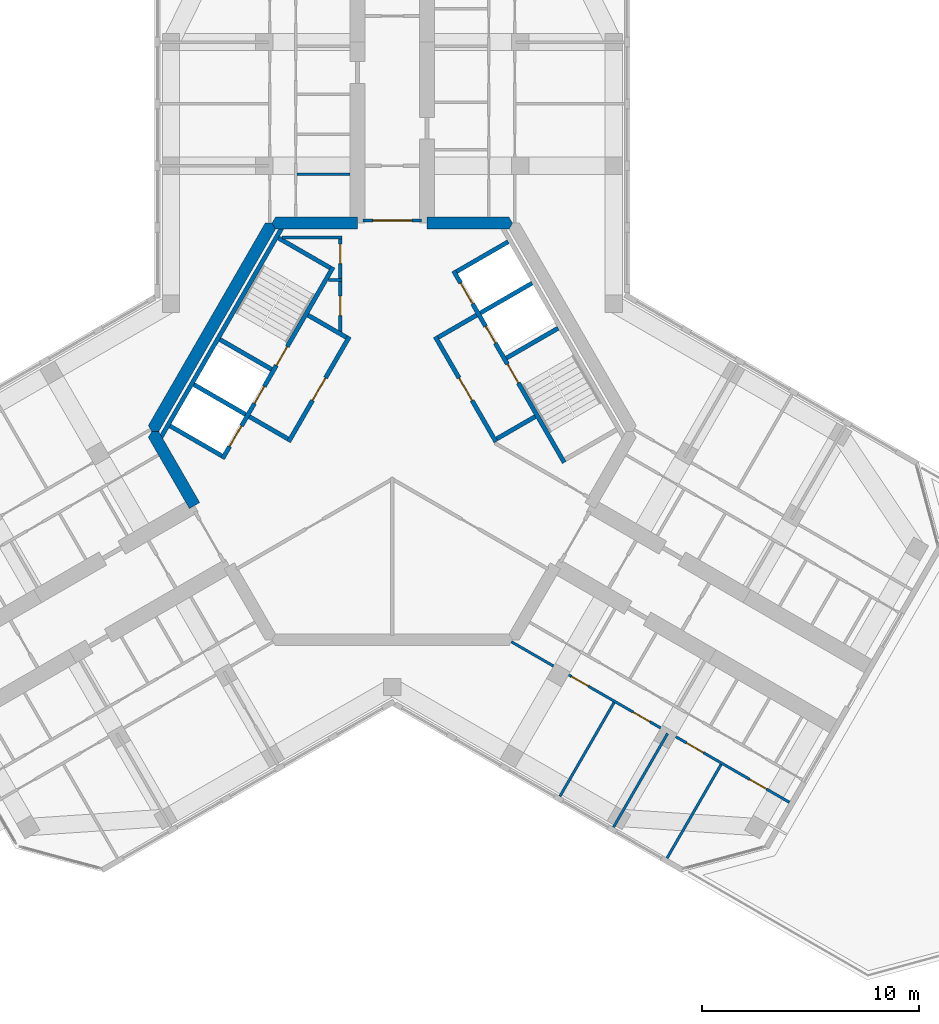
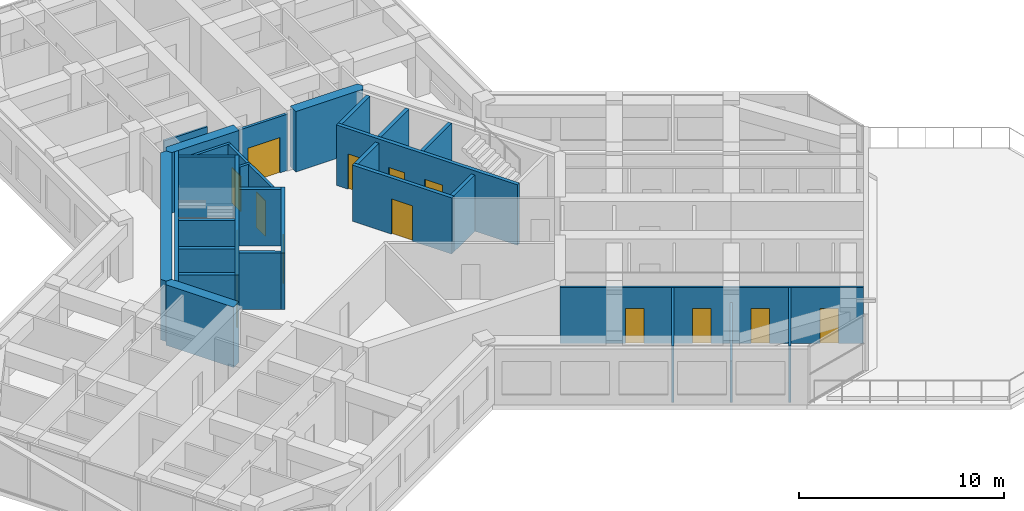
# One storey, part 9 of 14: 29 walls, 15 doors, 15 openings.
"""IFC4 building model written with IfcOpenShell, lengths in metres."""

from ifc_helpers import new_model, si_unit, direction, frame, frame_2d, origin, place, context, subcontext, project, spatial, polyline, rectangle, outline, extrude, material, layer, layer_set, type_object, element, fill, save


model = new_model("IFC4")

# Units and contexts
model_context = context("Model", 3, precision=1e-05, world=origin(), true_north=direction((0.0, 1.0)))
body_context = subcontext(model_context, "Body", "Model", "MODEL_VIEW")
ifc_project = project(units=[si_unit("LENGTHUNIT", "METRE"), si_unit("AREAUNIT", "SQUARE_METRE"), si_unit("VOLUMEUNIT", "CUBIC_METRE"), si_unit("PLANEANGLEUNIT", "RADIAN"), si_unit("MASSUNIT", "GRAM", prefix="KILO")], contexts=[model_context])

# Site, building, storey
site_placement = place(None, origin())
site = spatial("IfcSite", under=ifc_project, at=site_placement, CompositionType="ELEMENT")
building_placement = place(site_placement, origin())
building = spatial("IfcBuilding", under=site, at=building_placement, Name="Kosmar Iwan School Tower", CompositionType="ELEMENT")
storey_placement = place(building_placement, frame((0.0, 0.0, 267.39990234375)))
storey = spatial("IfcBuildingStorey", under=building, at=storey_placement, Name="L67", CompositionType="ELEMENT", Elevation=267.39990234375)

# Wall, openings, doors
ifc_material_1 = material(Name="Gypsum board on steel studs, fire-rated", Category="steel")
ifc_layer_1 = layer(ifc_material_1, 0.14990234375)
ifc_layer_set_1 = layer_set([ifc_layer_1], Name="Core room partition 150")
wall_type_1 = type_object("IfcWallType", Name="Core room partition 150", PredefinedType="PARTITIONING", material=ifc_layer_set_1)
wall_1_placement = place(storey_placement, frame((-2.39990234375, 9.014892578125, 0.0), z_axis=(0.0, 0.0, 1.0), x_axis=(0.0, -1.0, 0.0)))
wall_1 = element("IfcWall", 1, at=wall_1_placement, inside=storey, type_object=wall_type_1, Name="Core room partition L67-CW1", PredefinedType="PARTITIONING", context=body_context, shape_type="SweptSolid", body=[
    extrude(rectangle(XDim=4.484130859375, YDim=0.14990234375, at=frame_2d((2.2421875, 0.0))), origin(), (0.0, 0.0, 1.0), 3.35009765625),
])
opening_1_placement = place(wall_1_placement, frame((0.375, 0.0, 0.0)))
opening_1 = element("IfcOpeningElement", 2, at=opening_1_placement, cuts=wall_1, Name="Opening D14", PredefinedType="OPENING", context=body_context, shape_type="SweptSolid", body=[
    extrude(rectangle(XDim=0.89990234375, YDim=2.10009765625, at=frame_2d((0.449951171875, 1.050048828125))), frame((0.0, 0.0869140625, 0.0), z_axis=(0.0, -1.0, 0.0), x_axis=(1.0, 0.0, 0.0)), (0.0, 0.0, 1.0), 0.173828125),
])
opening_2_placement = place(wall_1_placement, frame((2.77490234375, 0.0, 0.0)))
opening_2 = element("IfcOpeningElement", 3, at=opening_2_placement, cuts=wall_1, Name="Opening D14", PredefinedType="OPENING", context=body_context, shape_type="SweptSolid", body=[
    extrude(rectangle(XDim=0.89990234375, YDim=2.10009765625, at=frame_2d((0.449951171875, 1.050048828125))), frame((0.0, 0.0869140625, 0.0), z_axis=(0.0, -1.0, 0.0), x_axis=(1.0, 0.0, 0.0)), (0.0, 0.0, 1.0), 0.173828125),
])
ifc_material_2 = material(Name="Timber fire door in steel frame", Category="steel")
door_type_1 = type_object("IfcDoorType", Name="Core room door 900x2100", OperationType="SINGLE_SWING_LEFT", PredefinedType="DOOR", material=ifc_material_2)
door_1_placement = place(opening_1_placement, origin())
door_1 = element("IfcDoor", 4, at=door_1_placement, inside=storey, type_object=door_type_1, Name="Electrical riser and switch room door L67 1", OperationType="SINGLE_SWING_LEFT", OverallHeight=2.10009765625, OverallWidth=0.89990234375, PredefinedType="DOOR", context=body_context, shape_type="SweptSolid", body=[
    extrude(rectangle(XDim=0.89990234375, YDim=2.10009765625, at=frame_2d((0.449951171875, 1.050048828125))), frame((0.0, 0.02490234375, 0.0), z_axis=(0.0, -1.0, 0.0), x_axis=(1.0, 0.0, 0.0)), (0.0, 0.0, 1.0), 0.050048828125),
])
fill(opening_1, door_1)
door_2_placement = place(opening_2_placement, origin())
door_2 = element("IfcDoor", 5, at=door_2_placement, inside=storey, type_object=door_type_1, Name="Plumbing and wet riser door L67 2", OperationType="SINGLE_SWING_RIGHT", OverallHeight=2.10009765625, OverallWidth=0.89990234375, PredefinedType="DOOR", context=body_context, shape_type="SweptSolid", body=[
    extrude(rectangle(XDim=0.89990234375, YDim=2.10009765625, at=frame_2d((0.449951171875, 1.050048828125))), frame((0.0, 0.02490234375, 0.0), z_axis=(0.0, -1.0, 0.0), x_axis=(1.0, 0.0, 0.0)), (0.0, 0.0, 1.0), 0.050048828125),
])
fill(opening_2, door_2)

# Walls
wall_2_placement = place(storey_placement, frame((-2.324951171875, 6.985107421875, 0.0), z_axis=(0.0, 0.0, 1.0), x_axis=(-1.0, 0.0, 0.0)))
element("IfcWall", 6, at=wall_2_placement, inside=storey, type_object=wall_type_1, Name="Core room partition L67-CW2", PredefinedType="PARTITIONING", context=body_context, shape_type="SweptSolid", body=[
    extrude(rectangle(XDim=0.623779296875, YDim=0.14990234375, at=frame_2d((0.31201171875, 0.0))), origin(), (0.0, 0.0, 1.0), 3.35009765625),
])
wall_3_placement = place(storey_placement, frame((-5.089599609375, 8.93994140625, 0.0), z_axis=(0.0, 0.0, 1.0), x_axis=(1.0, 0.0, 0.0)))
element("IfcWall", 7, at=wall_3_placement, inside=storey, type_object=wall_type_1, Name="Core room partition L67-CW3", PredefinedType="PARTITIONING", context=body_context, shape_type="SweptSolid", body=[
    extrude(rectangle(XDim=2.7646484375, YDim=0.14990234375, at=frame_2d((1.38232421875, 0.0))), origin(), (0.0, 0.0, 1.0), 3.35009765625),
])
ifc_material_3 = material(Name="Concrete C50/60", Category="concrete")
ifc_layer_2 = layer(ifc_material_3, 0.550048828125)
ifc_layer_set_2 = layer_set([ifc_layer_2], Name="Core wall 550")
wall_type_2 = type_object("IfcWallType", Name="Core wall 550", PredefinedType="SHEAR", material=ifc_layer_set_2)
wall_4_placement = place(storey_placement, origin())
element("IfcWall", 8, at=wall_4_placement, inside=storey, type_object=wall_type_2, Name="Core wall F090a", PredefinedType="SHEAR", context=body_context, shape_type="SweptSolid", body=[
    extrude(outline(polyline([(1.60009765625, 9.324951171875), (5.3837890625, 9.324951171875), (5.54248046875, 9.60009765625), (5.3837890625, 9.875), (1.60009765625, 9.875), (1.60009765625, 9.324951171875)])), origin(), (0.0, 0.0, 1.0), 3.60009765625),
])
wall_5_placement = place(storey_placement, origin())
element("IfcWall", 9, at=wall_5_placement, inside=storey, type_object=wall_type_2, Name="Core wall F090b", PredefinedType="SHEAR", context=body_context, shape_type="SweptSolid", body=[
    extrude(outline(polyline([(-5.3837890625, 9.324951171875), (-1.60009765625, 9.324951171875), (-1.60009765625, 9.875), (-5.3837890625, 9.875), (-5.54248046875, 9.60009765625), (-5.3837890625, 9.324951171875)])), origin(), (0.0, 0.0, 1.0), 3.60009765625),
])
wall_6_placement = place(storey_placement, origin())
element("IfcWall", 10, at=wall_6_placement, inside=storey, type_object=wall_type_2, Name="Core wall F150", PredefinedType="SHEAR", context=body_context, shape_type="SweptSolid", body=[
    extrude(outline(polyline([(-11.085205078125, 0.0), (-10.767578125, 0.0), (-5.3837890625, 9.324951171875), (-5.54248046875, 9.60009765625), (-5.860107421875, 9.60009765625), (-11.243896484375, 0.27490234375), (-11.085205078125, 0.0)])), origin(), (0.0, 0.0, 1.0), 3.60009765625),
])
wall_7_placement = place(storey_placement, origin())
element("IfcWall", 11, at=wall_7_placement, inside=storey, type_object=wall_type_2, Name="Core wall F210a", PredefinedType="SHEAR", context=body_context, shape_type="SweptSolid", body=[
    extrude(outline(polyline([(-9.35205078125, -3.5517578125), (-8.875732421875, -3.27685546875), (-10.767578125, 0.0), (-11.085205078125, 0.0), (-11.243896484375, -0.27490234375), (-9.35205078125, -3.5517578125)])), origin(), (0.0, 0.0, 1.0), 3.60009765625),
])

# Wall, opening, door
ifc_material_4 = material(Name="Steel framed glazed screen", Category="steel")
ifc_layer_3 = layer(ifc_material_4, 0.14990234375)
ifc_layer_set_3 = layer_set([ifc_layer_3], Name="Corridor screen wall 150")
wall_type_3 = type_object("IfcWallType", Name="Corridor screen wall 150", PredefinedType="PARTITIONING", material=ifc_layer_set_3)
wall_8_placement = place(storey_placement, frame((1.35009765625, 9.72509765625, 0.0), z_axis=(0.0, 0.0, 1.0), x_axis=(-1.0, 0.0, 0.0)))
wall_8 = element("IfcWall", 12, at=wall_8_placement, inside=storey, type_object=wall_type_3, Name="Corridor screen A L67", PredefinedType="PARTITIONING", context=body_context, shape_type="SweptSolid", body=[
    extrude(rectangle(XDim=2.7001953125, YDim=0.14990234375, at=frame_2d((1.35009765625, 0.0))), origin(), (0.0, 0.0, 1.0), 3.35009765625),
])
opening_3_placement = place(wall_8_placement, frame((0.449951171875, 0.0, 0.0)))
opening_3 = element("IfcOpeningElement", 13, at=opening_3_placement, cuts=wall_8, Name="Opening D9", PredefinedType="OPENING", context=body_context, shape_type="SweptSolid", body=[
    extrude(rectangle(XDim=1.800048828125, YDim=2.10009765625, at=frame_2d((0.89990234375, 1.050048828125))), frame((0.0, 0.0869140625, 0.0), z_axis=(0.0, -1.0, 0.0), x_axis=(1.0, 0.0, 0.0)), (0.0, 0.0, 1.0), 0.173828125),
])
ifc_material_5 = material(Name="Steel framed glazed smoke door", Category="steel")
door_type_2 = type_object("IfcDoorType", Name="Corridor smoke door pair 1800x2100", OperationType="DOUBLE_DOOR_DOUBLE_SWING", PredefinedType="DOOR", material=ifc_material_5)
door_3_placement = place(opening_3_placement, origin())
door_3 = element("IfcDoor", 14, at=door_3_placement, inside=storey, type_object=door_type_2, Name="Corridor doors A L67", OperationType="DOUBLE_DOOR_DOUBLE_SWING", OverallHeight=2.10009765625, OverallWidth=1.800048828125, PredefinedType="DOOR", context=body_context, shape_type="SweptSolid", body=[
    extrude(rectangle(XDim=1.800048828125, YDim=2.10009765625, at=frame_2d((0.89990234375, 1.050048828125))), frame((0.0, 0.02490234375, 0.0), z_axis=(0.0, -1.0, 0.0), x_axis=(1.0, 0.0, 0.0)), (0.0, 0.0, 1.0), 0.050048828125),
])
fill(opening_3, door_3)

# Wall
ifc_material_6 = material(Name="Gypsum board on steel studs", Category="steel")
ifc_layer_4 = layer(ifc_material_6, 0.1201171875)
ifc_layer_set_4 = layer_set([ifc_layer_4], Name="Dwelling partition 120")
wall_type_4 = type_object("IfcWallType", Name="Dwelling partition 120", PredefinedType="PARTITIONING", material=ifc_layer_set_4)
wall_9_placement = place(storey_placement, frame((-1.949951171875, 11.85009765625, 0.0), z_axis=(0.0, 0.0, 1.0), x_axis=(-1.0, 0.0, 0.0)))
element("IfcWall", 15, at=wall_9_placement, inside=storey, type_object=wall_type_4, Name="Partition L67-AL1-Y1", PredefinedType="PARTITIONING", context=body_context, shape_type="SweptSolid", body=[
    extrude(rectangle(XDim=2.43994140625, YDim=0.1201171875, at=frame_2d((1.219970703125, 0.0))), origin(), (0.0, 0.0, 1.0), 2.4501953125),
])

# Wall, openings, doors
wall_10_placement = place(storey_placement, frame((5.48876953125, -9.693115234375, 0.0), z_axis=(0.0, 0.0, 1.0), x_axis=(0.86602763084, -0.499996142607, 0.0)))
wall_10 = element("IfcWall", 16, at=wall_10_placement, inside=storey, type_object=wall_type_4, Name="Partition L67-CR1-W2", PredefinedType="PARTITIONING", context=body_context, shape_type="SweptSolid", body=[
    extrude(rectangle(XDim=14.7998046875, YDim=0.1201171875, at=frame_2d((7.39990234375, 0.0))), origin(), (0.0, 0.0, 1.0), 3.35009765625),
])
opening_4_placement = place(wall_10_placement, frame((3.199951171875, 0.0, 0.0)))
opening_4 = element("IfcOpeningElement", 17, at=opening_4_placement, cuts=wall_10, Name="Opening D2", PredefinedType="OPENING", context=body_context, shape_type="SweptSolid", body=[
    extrude(rectangle(XDim=0.89990234375, YDim=2.10009765625, at=frame_2d((0.449951171875, 1.050048828125))), frame((0.0, 0.072021484375, 0.0), z_axis=(0.0, -1.0, 0.0), x_axis=(1.0, 0.0, 0.0)), (0.0, 0.0, 1.0), 0.14404296875),
])
opening_5_placement = place(wall_10_placement, frame((6.47509765625, 0.0, 0.0)))
opening_5 = element("IfcOpeningElement", 18, at=opening_5_placement, cuts=wall_10, Name="Opening D2", PredefinedType="OPENING", context=body_context, shape_type="SweptSolid", body=[
    extrude(rectangle(XDim=0.89990234375, YDim=2.10009765625, at=frame_2d((0.449951171875, 1.050048828125))), frame((0.0, 0.072021484375, 0.0), z_axis=(0.0, -1.0, 0.0), x_axis=(1.0, 0.0, 0.0)), (0.0, 0.0, 1.0), 0.14404296875),
])
opening_6_placement = place(wall_10_placement, frame((9.324951171875, 0.0, 0.0)))
opening_6 = element("IfcOpeningElement", 19, at=opening_6_placement, cuts=wall_10, Name="Opening D2", PredefinedType="OPENING", context=body_context, shape_type="SweptSolid", body=[
    extrude(rectangle(XDim=0.89990234375, YDim=2.10009765625, at=frame_2d((0.449951171875, 1.050048828125))), frame((0.0, 0.072021484375, 0.0), z_axis=(0.0, -1.0, 0.0), x_axis=(1.0, 0.0, 0.0)), (0.0, 0.0, 1.0), 0.14404296875),
])
opening_7_placement = place(wall_10_placement, frame((12.675048828125, 0.0, 0.0)))
opening_7 = element("IfcOpeningElement", 20, at=opening_7_placement, cuts=wall_10, Name="Opening D2", PredefinedType="OPENING", context=body_context, shape_type="SweptSolid", body=[
    extrude(rectangle(XDim=0.89990234375, YDim=2.10009765625, at=frame_2d((0.449951171875, 1.050048828125))), frame((0.0, 0.072021484375, 0.0), z_axis=(0.0, -1.0, 0.0), x_axis=(1.0, 0.0, 0.0)), (0.0, 0.0, 1.0), 0.14404296875),
])
ifc_material_7 = material(Name="Timber door in timber frame", Category="wood")
door_type_3 = type_object("IfcDoorType", Name="Internal door 900x2100", OperationType="SINGLE_SWING_LEFT", PredefinedType="DOOR", material=ifc_material_7)
door_4_placement = place(opening_4_placement, origin())
door_4 = element("IfcDoor", 21, at=door_4_placement, inside=storey, type_object=door_type_3, Name="Living room and kitchen door L67-CR1-F1", OperationType="SINGLE_SWING_LEFT", OverallHeight=2.10009765625, OverallWidth=0.89990234375, PredefinedType="DOOR", context=body_context, shape_type="SweptSolid", body=[
    extrude(rectangle(XDim=0.89990234375, YDim=2.10009765625, at=frame_2d((0.449951171875, 1.050048828125))), frame((0.0, 0.02490234375, 0.0), z_axis=(0.0, -1.0, 0.0), x_axis=(1.0, 0.0, 0.0)), (0.0, 0.0, 1.0), 0.050048828125),
])
fill(opening_4, door_4)
door_5_placement = place(opening_5_placement, origin())
door_5 = element("IfcDoor", 22, at=door_5_placement, inside=storey, type_object=door_type_3, Name="Dining room door L67-CR1-F2", OperationType="SINGLE_SWING_LEFT", OverallHeight=2.10009765625, OverallWidth=0.89990234375, PredefinedType="DOOR", context=body_context, shape_type="SweptSolid", body=[
    extrude(rectangle(XDim=0.89990234375, YDim=2.10009765625, at=frame_2d((0.449951171875, 1.050048828125))), frame((0.0, 0.02490234375, 0.0), z_axis=(0.0, -1.0, 0.0), x_axis=(1.0, 0.0, 0.0)), (0.0, 0.0, 1.0), 0.050048828125),
])
fill(opening_5, door_5)
door_6_placement = place(opening_6_placement, origin())
door_6 = element("IfcDoor", 23, at=door_6_placement, inside=storey, type_object=door_type_3, Name="Study door L67-CR1-F3", OperationType="SINGLE_SWING_RIGHT", OverallHeight=2.10009765625, OverallWidth=0.89990234375, PredefinedType="DOOR", context=body_context, shape_type="SweptSolid", body=[
    extrude(rectangle(XDim=0.89990234375, YDim=2.10009765625, at=frame_2d((0.449951171875, 1.050048828125))), frame((0.0, 0.02490234375, 0.0), z_axis=(0.0, -1.0, 0.0), x_axis=(1.0, 0.0, 0.0)), (0.0, 0.0, 1.0), 0.050048828125),
])
fill(opening_6, door_6)
door_7_placement = place(opening_7_placement, origin())
door_7 = element("IfcDoor", 24, at=door_7_placement, inside=storey, type_object=door_type_3, Name="Bedroom 1 door L67-CR1-F4", OperationType="SINGLE_SWING_RIGHT", OverallHeight=2.10009765625, OverallWidth=0.89990234375, PredefinedType="DOOR", context=body_context, shape_type="SweptSolid", body=[
    extrude(rectangle(XDim=0.89990234375, YDim=2.10009765625, at=frame_2d((0.449951171875, 1.050048828125))), frame((0.0, 0.02490234375, 0.0), z_axis=(0.0, -1.0, 0.0), x_axis=(1.0, 0.0, 0.0)), (0.0, 0.0, 1.0), 0.050048828125),
])
fill(opening_7, door_7)

# Walls
wall_11_placement = place(storey_placement, frame((10.221923828125, -12.4951171875, 0.0), z_axis=(0.0, 0.0, 1.0), x_axis=(-0.499996339024, -0.86602751744, 0.0)))
element("IfcWall", 25, at=wall_11_placement, inside=storey, type_object=wall_type_4, Name="Partition L67-CR1-X1", PredefinedType="PARTITIONING", context=body_context, shape_type="SweptSolid", body=[
    extrude(rectangle(XDim=4.98974609375, YDim=0.1201171875, at=frame_2d((2.494873046875, 0.0))), origin(), (0.0, 0.0, 1.0), 3.35009765625),
])
wall_12_placement = place(storey_placement, frame((12.690185546875, -13.919921875, 0.0), z_axis=(0.0, 0.0, 1.0), x_axis=(-0.500011847778, -0.866018563358, 0.0)))
element("IfcWall", 26, at=wall_12_placement, inside=storey, type_object=wall_type_4, Name="Partition L67-CR1-X2", PredefinedType="PARTITIONING", context=body_context, shape_type="SweptSolid", body=[
    extrude(rectangle(XDim=4.990234375, YDim=0.1201171875, at=frame_2d((2.4951171875, 0.0))), origin(), (0.0, 0.0, 1.0), 2.4501953125),
])
wall_13_placement = place(storey_placement, frame((15.158447265625, -15.344970703125, 0.0), z_axis=(0.0, 0.0, 1.0), x_axis=(-0.500011847778, -0.866018563358, 0.0)))
element("IfcWall", 27, at=wall_13_placement, inside=storey, type_object=wall_type_4, Name="Partition L67-CR1-X3", PredefinedType="PARTITIONING", context=body_context, shape_type="SweptSolid", body=[
    extrude(rectangle(XDim=4.990234375, YDim=0.1201171875, at=frame_2d((2.4951171875, 0.0))), origin(), (0.0, 0.0, 1.0), 3.35009765625),
])

# Wall, opening, door
ifc_material_8 = material(Name="Concrete block masonry", Category="masonry")
ifc_layer_5 = layer(ifc_material_8, 0.199951171875)
ifc_layer_set_5 = layer_set([ifc_layer_5], Name="Fire lobby wall 200")
wall_type_5 = type_object("IfcWallType", Name="Fire lobby wall 200", PredefinedType="PARTITIONING", material=ifc_layer_set_5)
wall_14_placement = place(storey_placement, frame((-1.9775390625, 4.374755859375, 0.0), z_axis=(0.0, 0.0, 1.0), x_axis=(-0.500016814911, -0.866015695474, 0.0)))
wall_14 = element("IfcWall", 28, at=wall_14_placement, inside=storey, type_object=wall_type_5, Name="Firefighting lobby wall ST2", PredefinedType="PARTITIONING", context=body_context, shape_type="SweptSolid", body=[
    extrude(rectangle(XDim=5.599853515625, YDim=0.199951171875, at=frame_2d((2.7998046875, 0.0))), origin(), (0.0, 0.0, 1.0), 3.35009765625),
])
opening_8_placement = place(wall_14_placement, frame((2.199951171875, 0.0, 0.0)))
opening_8 = element("IfcOpeningElement", 29, at=opening_8_placement, cuts=wall_14, Name="Opening D7", PredefinedType="OPENING", context=body_context, shape_type="SweptSolid", body=[
    extrude(rectangle(XDim=1.199951171875, YDim=2.10009765625, at=frame_2d((0.60009765625, 1.050048828125))), frame((0.0, 0.112060546875, 0.0), z_axis=(0.0, -1.0, 0.0), x_axis=(1.0, 0.0, 0.0)), (0.0, 0.0, 1.0), 0.223876953125),
])
ifc_material_9 = material(Name="Steel fire door", Category="steel")
door_type_4 = type_object("IfcDoorType", Name="Fire lobby door 1200x2100", OperationType="SINGLE_SWING_LEFT", PredefinedType="DOOR", material=ifc_material_9)
door_8_placement = place(opening_8_placement, origin())
door_8 = element("IfcDoor", 30, at=door_8_placement, inside=storey, type_object=door_type_4, Name="Firefighting lobby door ST2 L67", OperationType="SINGLE_SWING_RIGHT", OverallHeight=2.10009765625, OverallWidth=1.199951171875, PredefinedType="DOOR", context=body_context, shape_type="SweptSolid", body=[
    extrude(rectangle(XDim=1.199951171875, YDim=2.10009765625, at=frame_2d((0.60009765625, 1.050048828125))), frame((0.0, 0.02490234375, 0.0), z_axis=(0.0, -1.0, 0.0), x_axis=(1.0, 0.0, 0.0)), (0.0, 0.0, 1.0), 0.050048828125),
])
fill(opening_8, door_8)

# Walls
wall_15_placement = place(storey_placement, frame((-2.114013671875, 4.33837890625, 0.0), z_axis=(0.0, 0.0, 1.0), x_axis=(-0.866050731258, 0.499956128963, 0.0)))
element("IfcWall", 31, at=wall_15_placement, inside=storey, type_object=wall_type_5, Name="Firefighting lobby wall ST2", PredefinedType="PARTITIONING", context=body_context, shape_type="SweptSolid", body=[
    extrude(rectangle(XDim=2.050048828125, YDim=0.199951171875, at=frame_2d((1.02490234375, 0.0))), origin(), (0.0, 0.0, 1.0), 3.35009765625),
])
wall_16_placement = place(storey_placement, frame((-4.814208984375, -0.33837890625, 0.0), z_axis=(0.0, 0.0, 1.0), x_axis=(-0.865969381856, 0.500097020274, 0.0)))
element("IfcWall", 32, at=wall_16_placement, inside=storey, type_object=wall_type_5, Name="Firefighting lobby wall ST2", PredefinedType="PARTITIONING", context=body_context, shape_type="SweptSolid", body=[
    extrude(rectangle(XDim=2.0498046875, YDim=0.199951171875, at=frame_2d((1.02490234375, 0.0))), origin(), (0.0, 0.0, 1.0), 3.35009765625),
])

# Wall, opening, door
wall_17_placement = place(storey_placement, frame((4.777587890625, -0.474853515625, 0.0), z_axis=(0.0, 0.0, 1.0), x_axis=(-0.500016814911, 0.866015695474, 0.0)))
wall_17 = element("IfcWall", 33, at=wall_17_placement, inside=storey, type_object=wall_type_5, Name="Firefighting lobby wall ST1", PredefinedType="PARTITIONING", context=body_context, shape_type="SweptSolid", body=[
    extrude(rectangle(XDim=5.599853515625, YDim=0.199951171875, at=frame_2d((2.7998046875, 0.0))), origin(), (0.0, 0.0, 1.0), 3.35009765625),
])
opening_9_placement = place(wall_17_placement, frame((2.199951171875, 0.0, 0.0)))
opening_9 = element("IfcOpeningElement", 34, at=opening_9_placement, cuts=wall_17, Name="Opening D7", PredefinedType="OPENING", context=body_context, shape_type="SweptSolid", body=[
    extrude(rectangle(XDim=1.199951171875, YDim=2.10009765625, at=frame_2d((0.60009765625, 1.050048828125))), frame((0.0, 0.112060546875, 0.0), z_axis=(0.0, -1.0, 0.0), x_axis=(1.0, 0.0, 0.0)), (0.0, 0.0, 1.0), 0.223876953125),
])
door_9_placement = place(opening_9_placement, origin())
door_9 = element("IfcDoor", 35, at=door_9_placement, inside=storey, type_object=door_type_4, Name="Firefighting lobby door ST1 L67", OperationType="SINGLE_SWING_RIGHT", OverallHeight=2.10009765625, OverallWidth=1.199951171875, PredefinedType="DOOR", context=body_context, shape_type="SweptSolid", body=[
    extrude(rectangle(XDim=1.199951171875, YDim=2.10009765625, at=frame_2d((0.60009765625, 1.050048828125))), frame((0.0, 0.02490234375, 0.0), z_axis=(0.0, -1.0, 0.0), x_axis=(1.0, 0.0, 0.0)), (0.0, 0.0, 1.0), 0.050048828125),
])
fill(opening_9, door_9)

# Walls
wall_18_placement = place(storey_placement, frame((4.814208984375, -0.33837890625, 0.0), z_axis=(0.0, 0.0, 1.0), x_axis=(0.865969381856, 0.500097020274, 0.0)))
element("IfcWall", 36, at=wall_18_placement, inside=storey, type_object=wall_type_5, Name="Firefighting lobby wall ST1", PredefinedType="PARTITIONING", context=body_context, shape_type="SweptSolid", body=[
    extrude(rectangle(XDim=2.0498046875, YDim=0.199951171875, at=frame_2d((1.02490234375, 0.0))), origin(), (0.0, 0.0, 1.0), 3.35009765625),
])
wall_19_placement = place(storey_placement, frame((2.114013671875, 4.33837890625, 0.0), z_axis=(0.0, 0.0, 1.0), x_axis=(0.866050731258, 0.499956128963, 0.0)))
element("IfcWall", 37, at=wall_19_placement, inside=storey, type_object=wall_type_5, Name="Firefighting lobby wall ST1", PredefinedType="PARTITIONING", context=body_context, shape_type="SweptSolid", body=[
    extrude(rectangle(XDim=2.050048828125, YDim=0.199951171875, at=frame_2d((1.02490234375, 0.0))), origin(), (0.0, 0.0, 1.0), 3.35009765625),
])

# Wall, openings, doors
ifc_material_10 = material(Name="Concrete C50/60", Category="concrete")
ifc_layer_6 = layer(ifc_material_10, 0.199951171875)
ifc_layer_set_6 = layer_set([ifc_layer_6], Name="Lift shaft wall 200")
wall_type_6 = type_object("IfcWallType", Name="Lift shaft wall 200", PredefinedType="SHEAR", material=ifc_layer_set_6)
wall_20_placement = place(storey_placement, frame((-2.72607421875, 7.578369140625, 0.0), z_axis=(0.0, 0.0, 1.0), x_axis=(-0.500005610874, -0.86602216432, 0.0)))
wall_20 = element("IfcWall", 38, at=wall_20_placement, inside=storey, type_object=wall_type_6, Name="Lift and stair front wall AB", PredefinedType="SHEAR", context=body_context, shape_type="SweptSolid", body=[
    extrude(rectangle(XDim=10.2001953125, YDim=0.199951171875, at=frame_2d((5.10009765625, 0.0))), origin(), (0.0, 0.0, 1.0), 3.60009765625),
])
opening_10_placement = place(wall_20_placement, frame((6.35009765625, 0.0, 0.0)))
opening_10 = element("IfcOpeningElement", 39, at=opening_10_placement, cuts=wall_20, Name="Opening LD2", PredefinedType="OPENING", context=body_context, shape_type="SweptSolid", body=[
    extrude(rectangle(XDim=0.89990234375, YDim=2.10009765625, at=frame_2d((0.449951171875, 1.050048828125))), frame((0.0, 0.112060546875, 0.0), z_axis=(0.0, -1.0, 0.0), x_axis=(1.0, 0.0, 0.0)), (0.0, 0.0, 1.0), 0.223876953125),
])
opening_11_placement = place(wall_20_placement, frame((8.449951171875, 0.0, 0.0)))
opening_11 = element("IfcOpeningElement", 40, at=opening_11_placement, cuts=wall_20, Name="Opening LD1", PredefinedType="OPENING", context=body_context, shape_type="SweptSolid", body=[
    extrude(rectangle(XDim=1.10009765625, YDim=2.10009765625, at=frame_2d((0.550048828125, 1.050048828125))), frame((0.0, 0.112060546875, 0.0), z_axis=(0.0, -1.0, 0.0), x_axis=(1.0, 0.0, 0.0)), (0.0, 0.0, 1.0), 0.223876953125),
])
opening_12_placement = place(wall_20_placement, frame((4.22998046875, 0.0, 0.0)))
opening_12 = element("IfcOpeningElement", 41, at=opening_12_placement, cuts=wall_20, Name="Opening D6", PredefinedType="OPENING", context=body_context, shape_type="SweptSolid", body=[
    extrude(rectangle(XDim=1.0, YDim=2.10009765625, at=frame_2d((0.5, 1.050048828125))), frame((0.0, 0.112060546875, 0.0), z_axis=(0.0, -1.0, 0.0), x_axis=(1.0, 0.0, 0.0)), (0.0, 0.0, 1.0), 0.223876953125),
])
ifc_material_11 = material(Name="Stainless steel sliding lift door", Category="steel")
door_type_5 = type_object("IfcDoorType", Name="Firefighting lift landing door 900x2100", OperationType="SLIDING_TO_LEFT", PredefinedType="DOOR", material=ifc_material_11)
door_10_placement = place(opening_10_placement, origin())
door_10 = element("IfcDoor", 42, at=door_10_placement, inside=storey, type_object=door_type_5, Name="Lift FF2 landing door L67", OperationType="SLIDING_TO_LEFT", OverallHeight=2.10009765625, OverallWidth=0.89990234375, PredefinedType="DOOR", context=body_context, shape_type="SweptSolid", body=[
    extrude(rectangle(XDim=0.89990234375, YDim=2.10009765625, at=frame_2d((0.449951171875, 1.050048828125))), frame((0.0, 0.02490234375, 0.0), z_axis=(0.0, -1.0, 0.0), x_axis=(1.0, 0.0, 0.0)), (0.0, 0.0, 1.0), 0.050048828125),
])
fill(opening_10, door_10)
ifc_material_12 = material(Name="Stainless steel sliding lift door", Category="steel")
door_type_6 = type_object("IfcDoorType", Name="Lift landing door 1100x2100", OperationType="SLIDING_TO_LEFT", PredefinedType="DOOR", material=ifc_material_12)
door_11_placement = place(opening_11_placement, origin())
door_11 = element("IfcDoor", 43, at=door_11_placement, inside=storey, type_object=door_type_6, Name="Lift PL6 landing door L67", OperationType="SLIDING_TO_LEFT", OverallHeight=2.10009765625, OverallWidth=1.10009765625, PredefinedType="DOOR", context=body_context, shape_type="SweptSolid", body=[
    extrude(rectangle(XDim=1.10009765625, YDim=2.10009765625, at=frame_2d((0.550048828125, 1.050048828125))), frame((0.0, 0.02490234375, 0.0), z_axis=(0.0, -1.0, 0.0), x_axis=(1.0, 0.0, 0.0)), (0.0, 0.0, 1.0), 0.050048828125),
])
fill(opening_11, door_11)
ifc_material_13 = material(Name="Steel fire door", Category="steel")
door_type_7 = type_object("IfcDoorType", Name="Stair door 1000x2100", OperationType="SINGLE_SWING_LEFT", PredefinedType="DOOR", material=ifc_material_13)
door_12_placement = place(opening_12_placement, origin())
door_12 = element("IfcDoor", 44, at=door_12_placement, inside=storey, type_object=door_type_7, Name="Stair ST2 door L67", OperationType="SINGLE_SWING_LEFT", OverallHeight=2.10009765625, OverallWidth=1.0, PredefinedType="DOOR", context=body_context, shape_type="SweptSolid", body=[
    extrude(rectangle(XDim=1.0, YDim=2.10009765625, at=frame_2d((0.5, 1.050048828125))), frame((0.0, 0.02490234375, 0.0), z_axis=(0.0, -1.0, 0.0), x_axis=(1.0, 0.0, 0.0)), (0.0, 0.0, 1.0), 0.050048828125),
])
fill(opening_12, door_12)

# Walls
wall_21_placement = place(storey_placement, frame((-5.09521484375, 9.375, 0.0), z_axis=(0.0, 0.0, 1.0), x_axis=(-0.499994302092, -0.866028693448, 0.0)))
element("IfcWall", 45, at=wall_21_placement, inside=storey, type_object=wall_type_6, Name="Lift and stair back wall AB", PredefinedType="SHEAR", context=body_context, shape_type="SweptSolid", body=[
    extrude(rectangle(XDim=11.142822265625, YDim=0.199951171875, at=frame_2d((5.5712890625, 0.0))), origin(), (0.0, 0.0, 1.0), 3.60009765625),
])
for number, where, z_axis, x_axis, name in (
    (46, (-6.7626953125, 0.78662109375, 0.0), (0.0, 0.0, 1.0), (-0.866027397988, 0.499996545922, 0.0), "Lift shaft wall AB 1"),
    (47, (-7.862548828125, -1.118408203125, 0.0), (0.0, 0.0, 1.0), (-0.866027397988, 0.499996545922, 0.0), "Lift shaft wall AB 2"),
):
    element("IfcWall", number, at=place(storey_placement, frame(where, z_axis=z_axis, x_axis=x_axis)), inside=storey, type_object=wall_type_6, Name=name, PredefinedType="SHEAR", context=body_context, shape_type="SweptSolid", body=[
        extrude(rectangle(XDim=2.75, YDim=0.199951171875, at=frame_2d((1.375, 0.0))), origin(), (0.0, 0.0, 1.0), 3.60009765625),
    ])

# Wall, openings, doors
wall_22_placement = place(storey_placement, frame((7.926025390625, -1.42822265625, 0.0), z_axis=(0.0, 0.0, 1.0), x_axis=(-0.499998023675, 0.866026544813, 0.0)))
wall_22 = element("IfcWall", 48, at=wall_22_placement, inside=storey, type_object=wall_type_6, Name="Lift and stair front wall AC", PredefinedType="SHEAR", context=body_context, shape_type="SweptSolid", body=[
    extrude(rectangle(XDim=10.19970703125, YDim=0.199951171875, at=frame_2d((5.099853515625, 0.0))), origin(), (0.0, 0.0, 1.0), 3.60009765625),
])
opening_13_placement = place(wall_22_placement, frame((6.35009765625, 0.0, 0.0)))
opening_13 = element("IfcOpeningElement", 49, at=opening_13_placement, cuts=wall_22, Name="Opening LD2", PredefinedType="OPENING", context=body_context, shape_type="SweptSolid", body=[
    extrude(rectangle(XDim=0.89990234375, YDim=2.10009765625, at=frame_2d((0.449951171875, 1.050048828125))), frame((0.0, 0.112060546875, 0.0), z_axis=(0.0, -1.0, 0.0), x_axis=(1.0, 0.0, 0.0)), (0.0, 0.0, 1.0), 0.223876953125),
])
opening_14_placement = place(wall_22_placement, frame((8.449951171875, 0.0, 0.0)))
opening_14 = element("IfcOpeningElement", 50, at=opening_14_placement, cuts=wall_22, Name="Opening LD1", PredefinedType="OPENING", context=body_context, shape_type="SweptSolid", body=[
    extrude(rectangle(XDim=1.10009765625, YDim=2.10009765625, at=frame_2d((0.550048828125, 1.050048828125))), frame((0.0, 0.112060546875, 0.0), z_axis=(0.0, -1.0, 0.0), x_axis=(1.0, 0.0, 0.0)), (0.0, 0.0, 1.0), 0.223876953125),
])
opening_15_placement = place(wall_22_placement, frame((4.22998046875, 0.0, 0.0)))
opening_15 = element("IfcOpeningElement", 51, at=opening_15_placement, cuts=wall_22, Name="Opening D6", PredefinedType="OPENING", context=body_context, shape_type="SweptSolid", body=[
    extrude(rectangle(XDim=1.0, YDim=2.10009765625, at=frame_2d((0.5, 1.050048828125))), frame((0.0, 0.112060546875, 0.0), z_axis=(0.0, -1.0, 0.0), x_axis=(1.0, 0.0, 0.0)), (0.0, 0.0, 1.0), 0.223876953125),
])
door_13_placement = place(opening_13_placement, origin())
door_13 = element("IfcDoor", 52, at=door_13_placement, inside=storey, type_object=door_type_5, Name="Lift FF1 landing door L67", OperationType="SLIDING_TO_LEFT", OverallHeight=2.10009765625, OverallWidth=0.89990234375, PredefinedType="DOOR", context=body_context, shape_type="SweptSolid", body=[
    extrude(rectangle(XDim=0.89990234375, YDim=2.10009765625, at=frame_2d((0.449951171875, 1.050048828125))), frame((0.0, 0.02490234375, 0.0), z_axis=(0.0, -1.0, 0.0), x_axis=(1.0, 0.0, 0.0)), (0.0, 0.0, 1.0), 0.050048828125),
])
fill(opening_13, door_13)
door_14_placement = place(opening_14_placement, origin())
door_14 = element("IfcDoor", 53, at=door_14_placement, inside=storey, type_object=door_type_6, Name="Lift PL5 landing door L67", OperationType="SLIDING_TO_LEFT", OverallHeight=2.10009765625, OverallWidth=1.10009765625, PredefinedType="DOOR", context=body_context, shape_type="SweptSolid", body=[
    extrude(rectangle(XDim=1.10009765625, YDim=2.10009765625, at=frame_2d((0.550048828125, 1.050048828125))), frame((0.0, 0.02490234375, 0.0), z_axis=(0.0, -1.0, 0.0), x_axis=(1.0, 0.0, 0.0)), (0.0, 0.0, 1.0), 0.050048828125),
])
fill(opening_14, door_14)
door_15_placement = place(opening_15_placement, origin())
door_15 = element("IfcDoor", 54, at=door_15_placement, inside=storey, type_object=door_type_7, Name="Stair ST1 door L67", OperationType="SINGLE_SWING_LEFT", OverallHeight=2.10009765625, OverallWidth=1.0, PredefinedType="DOOR", context=body_context, shape_type="SweptSolid", body=[
    extrude(rectangle(XDim=1.0, YDim=2.10009765625, at=frame_2d((0.5, 1.050048828125))), frame((0.0, 0.02490234375, 0.0), z_axis=(0.0, -1.0, 0.0), x_axis=(1.0, 0.0, 0.0)), (0.0, 0.0, 1.0), 0.050048828125),
])
fill(opening_15, door_15)

# Walls
for number, where, z_axis, x_axis, name in (
    (55, (4.062744140625, 5.46337890625, 0.0), (0.0, 0.0, 1.0), (0.866027397988, 0.499996545922, 0.0), "Lift shaft wall AC 1"),
    (56, (2.962646484375, 7.368408203125, 0.0), (0.0, 0.0, 1.0), (0.866027397988, 0.499996545922, 0.0), "Lift shaft wall AC 2"),
):
    element("IfcWall", number, at=place(storey_placement, frame(where, z_axis=z_axis, x_axis=x_axis)), inside=storey, type_object=wall_type_6, Name=name, PredefinedType="SHEAR", context=body_context, shape_type="SweptSolid", body=[
        extrude(rectangle(XDim=2.75, YDim=0.199951171875, at=frame_2d((1.375, 0.0))), origin(), (0.0, 0.0, 1.0), 3.60009765625),
    ])
ifc_material_14 = material(Name="Concrete C50/60", Category="concrete")
ifc_layer_7 = layer(ifc_material_14, 0.199951171875)
ifc_layer_set_7 = layer_set([ifc_layer_7], Name="Stair enclosure wall 200")
wall_type_7 = type_object("IfcWallType", Name="Stair enclosure wall 200", PredefinedType="SHEAR", material=ifc_layer_set_7)
for number, where, z_axis, x_axis, name in (
    (57, (-2.862548828125, 7.541748046875, 0.0), (0.0, 0.0, 1.0), (-0.866027397988, 0.499996545922, 0.0), "Stair ST2 wall"),
    (58, (-5.562744140625, 2.865234375, 0.0), (0.0, 0.0, 1.0), (-0.866027397988, 0.499996545922, 0.0), "Stair ST2 wall"),
    (59, (5.2626953125, 3.384765625, 0.0), (0.0, 0.0, 1.0), (0.866027397988, 0.499996545922, 0.0), "Stair ST1 wall"),
):
    element("IfcWall", number, at=place(storey_placement, frame(where, z_axis=z_axis, x_axis=x_axis)), inside=storey, type_object=wall_type_7, Name=name, PredefinedType="SHEAR", context=body_context, shape_type="SweptSolid", body=[
        extrude(rectangle(XDim=2.75, YDim=0.199951171875, at=frame_2d((1.375, 0.0))), origin(), (0.0, 0.0, 1.0), 3.60009765625),
    ])

save(model, "model.ifc")
